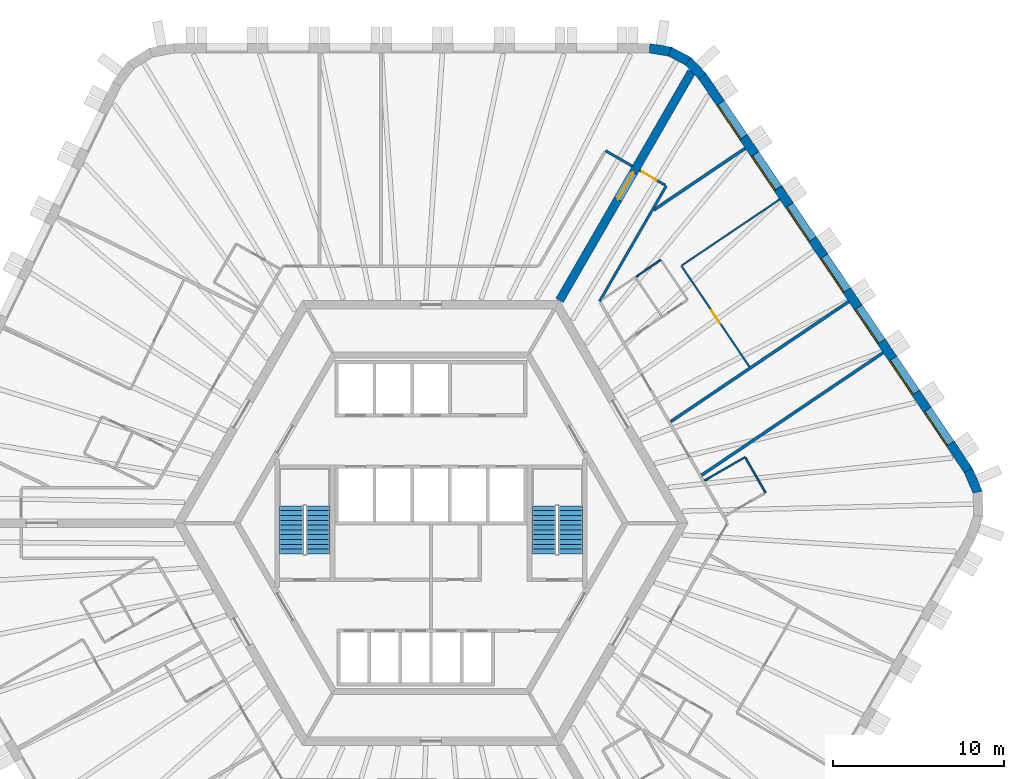
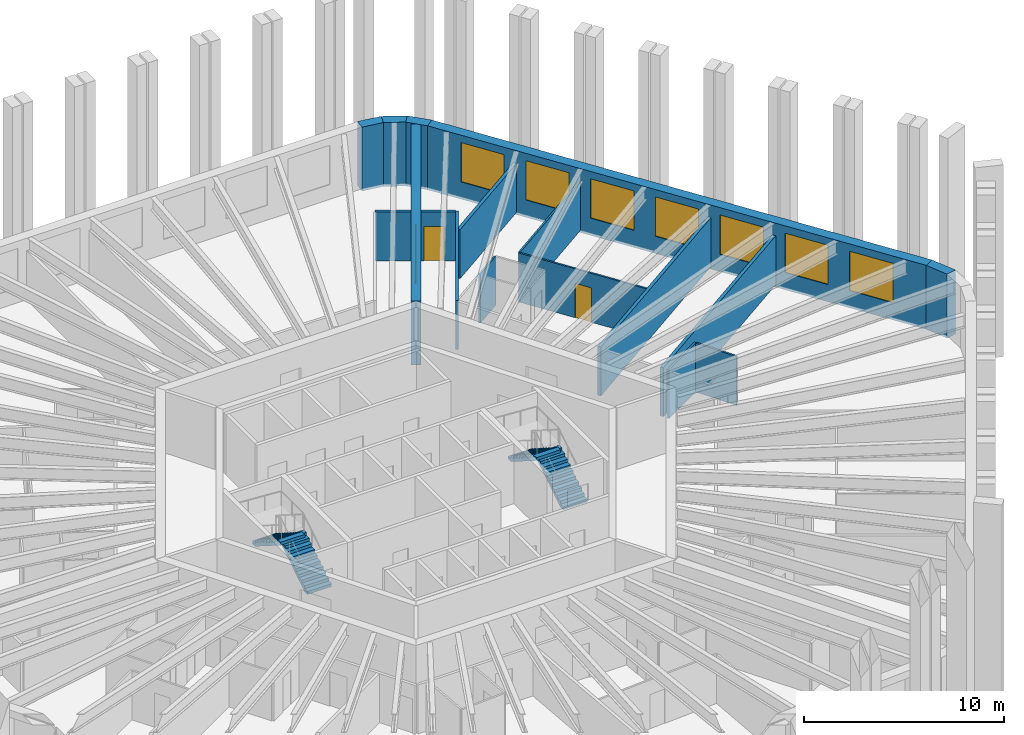
# One storey, part 9 of 10: 17 walls, 7 windows, 4 stair flights, 3 doors, 10 openings, 2 elements without a shape of their own.
"""IFC4 building model written with IfcOpenShell, lengths in metres."""

from ifc_helpers import new_model, si_unit, direction, frame, frame_2d, origin, place, context, subcontext, project, spatial, polyline, rectangle, outline, extrude, material, layer, layer_set, type_object, element, fill, aggregate, save


model = new_model("IFC4")

# Units and contexts
model_context = context("Model", 3, precision=1e-05, world=origin(), true_north=direction((0.0, 1.0)))
body_context = subcontext(model_context, "Body", "Model", "MODEL_VIEW")
ifc_project = project(units=[si_unit("LENGTHUNIT", "METRE"), si_unit("AREAUNIT", "SQUARE_METRE"), si_unit("VOLUMEUNIT", "CUBIC_METRE"), si_unit("PLANEANGLEUNIT", "RADIAN"), si_unit("MASSUNIT", "GRAM", prefix="KILO")], contexts=[model_context])

# Site, building, storey
site_placement = place(None, origin())
site = spatial("IfcSite", under=ifc_project, at=site_placement, CompositionType="ELEMENT")
building_placement = place(site_placement, origin())
building = spatial("IfcBuilding", under=site, at=building_placement, Name="Tarnside Tower", CompositionType="ELEMENT")
storey_placement = place(building_placement, frame((0.0, 0.0, 164.39990234375)))
storey = spatial("IfcBuildingStorey", under=building, at=storey_placement, Name="L38", CompositionType="ELEMENT", Elevation=164.39990234375)

# Walls
ifc_material_1 = material(Name="Gypsum board partition on steel studs", Category="steel")
ifc_layer_1 = layer(ifc_material_1, 0.10009765625)
ifc_layer_set_1 = layer_set([ifc_layer_1], Name="Bathroom wall 100")
wall_type_1 = type_object("IfcWallType", Name="Bathroom wall 100", PredefinedType="PARTITIONING", material=ifc_layer_set_1)
wall_1_placement = place(storey_placement, frame((15.972900390625, 2.484375, 0.0), z_axis=(0.0, 0.0, 1.0), x_axis=(0.866051307416, 0.49995513091, 0.0)))
element("IfcWall", 1, at=wall_1_placement, inside=storey, type_object=wall_type_1, Name="Bathroom wall 12099", PredefinedType="PARTITIONING", context=body_context, shape_type="SweptSolid", body=[
    extrude(rectangle(XDim=2.724853515625, YDim=0.10009765625, at=frame_2d((1.3623046875, 0.0))), origin(), (0.0, 0.0, 1.0), 2.98779296875),
])
wall_2_placement = place(storey_placement, frame((18.357666015625, 3.803466796875, 0.0), z_axis=(0.0, 0.0, 1.0), x_axis=(0.500016218704, -0.866016039709, 0.0)))
element("IfcWall", 2, at=wall_2_placement, inside=storey, type_object=wall_type_1, Name="Bathroom wall 12100", PredefinedType="PARTITIONING", context=body_context, shape_type="SweptSolid", body=[
    extrude(rectangle(XDim=2.35009765625, YDim=0.10009765625, at=frame_2d((1.175048828125, 0.0))), origin(), (0.0, 0.0, 1.0), 2.98779296875),
])

# Wall, opening, door
ifc_material_2 = material(Name="Concrete C70/85", Category="concrete")
ifc_layer_2 = layer(ifc_material_2, 0.5)
ifc_layer_set_2 = layer_set([ifc_layer_2], Name="Core wall Z2 500 C70/85")
wall_type_2 = type_object("IfcWallType", Name="Core wall Z2 500 C70/85", PredefinedType="SHEAR", material=ifc_layer_set_2)
wall_3_placement = place(storey_placement, frame((7.505615234375, 13.0, -0.14990234375), z_axis=(0.0, 0.0, 1.0), x_axis=(0.499988271576, 0.866032175087, 0.0)))
wall_3 = element("IfcWall", 3, at=wall_3_placement, inside=storey, type_object=wall_type_2, Name="L38 spine wall 1", PredefinedType="SHEAR", context=body_context, shape_type="SweptSolid", body=[
    extrude(rectangle(XDim=15.423583984375, YDim=0.5, at=frame_2d((7.7119140625, 0.0))), origin(), (0.0, 0.0, 1.0), 3.89990234375),
])
opening_1_placement = place(wall_3_placement, frame((6.811767578125, 0.0, 0.14990234375)))
opening_1 = element("IfcOpeningElement", 4, at=opening_1_placement, cuts=wall_3, Name="Opening CD-SPN", PredefinedType="OPENING", context=body_context, shape_type="SweptSolid", body=[
    extrude(rectangle(XDim=1.800048828125, YDim=2.39990234375, at=frame_2d((0.89990234375, 1.199951171875))), frame((0.0, 0.260009765625, 0.0), z_axis=(0.0, -1.0, 0.0), x_axis=(1.0, 0.0, 0.0)), (0.0, 0.0, 1.0), 0.52001953125),
])
ifc_material_3 = material(Name="Steel fire door", Category="steel")
door_type_1 = type_object("IfcDoorType", Name="Spine passage double door FD60 1800x2400", OperationType="NOTDEFINED", PredefinedType="DOOR", material=ifc_material_3)
door_1_placement = place(opening_1_placement, origin())
door_1 = element("IfcDoor", 5, at=door_1_placement, inside=storey, type_object=door_type_1, Name="L38 spine passage door 1", OperationType="DOUBLE_DOOR_SINGLE_SWING", OverallHeight=2.39990234375, OverallWidth=1.800048828125, PredefinedType="DOOR", context=body_context, shape_type="SweptSolid", body=[
    extrude(rectangle(XDim=1.800048828125, YDim=2.39990234375, at=frame_2d((0.89990234375, 1.199951171875))), frame((0.0, 0.02490234375, 0.0), z_axis=(0.0, -1.0, 0.0), x_axis=(1.0, 0.0, 0.0)), (0.0, 0.0, 1.0), 0.050048828125),
])
fill(opening_1, door_1)

# Walls
ifc_layer_3 = layer(ifc_material_1, 0.14990234375)
ifc_layer_set_3 = layer_set([ifc_layer_3], Name="Corridor wall 150 EI 60")
wall_type_3 = type_object("IfcWallType", Name="Corridor wall 150 EI 60", PredefinedType="PARTITIONING", material=ifc_layer_set_3)
wall_4_placement = place(storey_placement, frame((11.744873046875, 20.8427734375, 0.0), z_axis=(0.0, 0.0, 1.0), x_axis=(-0.865989075817, 0.500062916607, 0.0)))
element("IfcWall", 6, at=wall_4_placement, inside=storey, type_object=wall_type_3, Name="Corridor wall 12001", PredefinedType="PARTITIONING", context=body_context, shape_type="SweptSolid", body=[
    extrude(rectangle(XDim=1.800048828125, YDim=0.14990234375, at=frame_2d((0.89990234375, 0.0))), origin(), (0.0, 0.0, 1.0), 2.98779296875),
])
wall_5_placement = place(storey_placement, frame((9.84375, 12.949951171875, 0.0), z_axis=(0.0, 0.0, 1.0), x_axis=(0.500003831281, 0.866023191782, 0.0)))
element("IfcWall", 7, at=wall_5_placement, inside=storey, type_object=wall_type_3, Name="Corridor wall 12040", PredefinedType="PARTITIONING", context=body_context, shape_type="SweptSolid", body=[
    extrude(rectangle(XDim=7.7861328125, YDim=0.14990234375, at=frame_2d((3.89306640625, 0.0))), origin(), (0.0, 0.0, 1.0), 2.98779296875),
])

# Wall, opening, door
wall_6_placement = place(storey_placement, frame((13.671875, 19.73046875, 0.0), z_axis=(0.0, 0.0, 1.0), x_axis=(-0.866074815912, 0.499914405916, 0.0)))
wall_6 = element("IfcWall", 8, at=wall_6_placement, inside=storey, type_object=wall_type_3, Name="Corridor wall 12044", PredefinedType="PARTITIONING", context=body_context, shape_type="SweptSolid", body=[
    extrude(rectangle(XDim=1.724853515625, YDim=0.14990234375, at=frame_2d((0.8623046875, 0.0))), origin(), (0.0, 0.0, 1.0), 2.98779296875),
])
opening_2_placement = place(wall_6_placement, frame((0.574951171875, 0.0, 0.0)))
opening_2 = element("IfcOpeningElement", 9, at=opening_2_placement, cuts=wall_6, Name="Opening D-E1", PredefinedType="OPENING", context=body_context, shape_type="SweptSolid", body=[
    extrude(rectangle(XDim=1.0, YDim=2.10009765625, at=frame_2d((0.5, 1.050048828125))), frame((0.0, 0.0849609375, 0.0), z_axis=(0.0, -1.0, 0.0), x_axis=(1.0, 0.0, 0.0)), (0.0, 0.0, 1.0), 0.169921875),
])
ifc_material_4 = material(Name="Timber door leaf", Category="wood")
door_type_2 = type_object("IfcDoorType", Name="Unit entrance door 1000 FD30S", OperationType="NOTDEFINED", PredefinedType="DOOR", material=ifc_material_4)
door_2_placement = place(opening_2_placement, origin())
door_2 = element("IfcDoor", 10, at=door_2_placement, inside=storey, type_object=door_type_2, Name="Unit door 12035", OperationType="SINGLE_SWING_LEFT", OverallHeight=2.10009765625, OverallWidth=1.0, PredefinedType="DOOR", context=body_context, shape_type="SweptSolid", body=[
    extrude(rectangle(XDim=1.0, YDim=2.10009765625, at=frame_2d((0.5, 1.050048828125))), frame((0.0, 0.02490234375, 0.0), z_axis=(0.0, -1.0, 0.0), x_axis=(1.0, 0.0, 0.0)), (0.0, 0.0, 1.0), 0.050048828125),
])
fill(opening_2, door_2)

# Walls
ifc_layer_4 = layer(ifc_material_1, 0.179931640625)
ifc_layer_set_4 = layer_set([ifc_layer_4], Name="Demising wall 180 EI 60")
wall_type_4 = type_object("IfcWallType", Name="Demising wall 180 EI 60", PredefinedType="PARTITIONING", material=ifc_layer_set_4)
wall_7_placement = place(storey_placement, frame((26.40185546875, 9.9462890625, 0.0), z_axis=(0.0, 0.0, 1.0), x_axis=(-0.829037771727, -0.559192608187, 0.0)))
element("IfcWall", 11, at=wall_7_placement, inside=storey, type_object=wall_type_4, Name="Demising wall 12102", PredefinedType="PARTITIONING", context=body_context, shape_type="SweptSolid", body=[
    extrude(rectangle(XDim=12.7939453125, YDim=0.179931640625, at=frame_2d((6.39697265625, 0.0))), origin(), (0.0, 0.0, 1.0), 2.98779296875),
])
wall_8_placement = place(storey_placement, frame((24.388671875, 12.9306640625, 0.0), z_axis=(0.0, 0.0, 1.0), x_axis=(-0.829040439793, -0.559188652593, 0.0)))
element("IfcWall", 12, at=wall_8_placement, inside=storey, type_object=wall_type_4, Name="Demising wall 12103", PredefinedType="PARTITIONING", context=body_context, shape_type="SweptSolid", body=[
    extrude(rectangle(XDim=12.542236328125, YDim=0.179931640625, at=frame_2d((6.27099609375, 0.0))), origin(), (0.0, 0.0, 1.0), 2.98779296875),
])
wall_9_placement = place(storey_placement, frame((18.349609375, 21.88427734375, 0.0), z_axis=(0.0, 0.0, 1.0), x_axis=(-0.829047205772, -0.559178621374, 0.0)))
element("IfcWall", 13, at=wall_9_placement, inside=storey, type_object=wall_type_4, Name="Demising wall 12112", PredefinedType="PARTITIONING", context=body_context, shape_type="SweptSolid", body=[
    extrude(rectangle(XDim=6.442138671875, YDim=0.179931640625, at=frame_2d((3.22119140625, 0.0))), origin(), (0.0, 0.0, 1.0), 2.98779296875),
])
ifc_layer_5 = layer(ifc_material_1, 0.10009765625)
ifc_layer_set_5 = layer_set([ifc_layer_5], Name="Partition 100")
wall_type_5 = type_object("IfcWallType", Name="Partition 100", PredefinedType="PARTITIONING", material=ifc_layer_set_5)
wall_10_placement = place(storey_placement, frame((11.970458984375, 14.38427734375, 0.0), z_axis=(0.0, 0.0, 1.0), x_axis=(0.828968337787, 0.559295534532, 0.0)))
element("IfcWall", 14, at=wall_10_placement, inside=storey, type_object=wall_type_5, Name="Partition wall 12107", PredefinedType="PARTITIONING", context=body_context, shape_type="SweptSolid", body=[
    extrude(rectangle(XDim=1.75, YDim=0.10009765625, at=frame_2d((0.875, 0.0))), origin(), (0.0, 0.0, 1.0), 2.98779296875),
])

# Wall, opening, door
wall_11_placement = place(storey_placement, frame((18.591064453125, 9.128662109375, 0.0), z_axis=(0.0, 0.0, 1.0), x_axis=(-0.559185029686, 0.829042883435, 0.0)))
wall_11 = element("IfcWall", 15, at=wall_11_placement, inside=storey, type_object=wall_type_5, Name="Partition wall 12110", PredefinedType="PARTITIONING", context=body_context, shape_type="SweptSolid", body=[
    extrude(rectangle(XDim=7.110107421875, YDim=0.10009765625, at=frame_2d((3.55517578125, 0.0))), origin(), (0.0, 0.0, 1.0), 2.98779296875),
])
opening_3_placement = place(wall_11_placement, frame((3.06005859375, 0.0, 0.0)))
opening_3 = element("IfcOpeningElement", 16, at=opening_3_placement, cuts=wall_11, Name="Opening D-I1", PredefinedType="OPENING", context=body_context, shape_type="SweptSolid", body=[
    extrude(rectangle(XDim=0.89990234375, YDim=2.10009765625, at=frame_2d((0.449951171875, 1.050048828125))), frame((0.0, 0.06005859375, 0.0), z_axis=(0.0, -1.0, 0.0), x_axis=(1.0, 0.0, 0.0)), (0.0, 0.0, 1.0), 0.1201171875),
])
door_type_3 = type_object("IfcDoorType", Name="Internal door 900", OperationType="NOTDEFINED", PredefinedType="DOOR", material=ifc_material_4)
door_3_placement = place(opening_3_placement, origin())
door_3 = element("IfcDoor", 17, at=door_3_placement, inside=storey, type_object=door_type_3, Name="Internal door 12034", OperationType="SINGLE_SWING_RIGHT", OverallHeight=2.10009765625, OverallWidth=0.89990234375, PredefinedType="DOOR", context=body_context, shape_type="SweptSolid", body=[
    extrude(rectangle(XDim=0.89990234375, YDim=2.10009765625, at=frame_2d((0.449951171875, 1.050048828125))), frame((0.0, 0.02490234375, 0.0), z_axis=(0.0, -1.0, 0.0), x_axis=(1.0, 0.0, 0.0)), (0.0, 0.0, 1.0), 0.050048828125),
])
fill(opening_3, door_3)

# Walls
wall_12_placement = place(storey_placement, frame((14.65673828125, 15.05126953125, 0.0), z_axis=(0.0, 0.0, 1.0), x_axis=(0.829036561965, 0.559194401729, 0.0)))
element("IfcWall", 18, at=wall_12_placement, inside=storey, type_object=wall_type_5, Name="Partition wall 12111", PredefinedType="PARTITIONING", context=body_context, shape_type="SweptSolid", body=[
    extrude(rectangle(XDim=6.882568359375, YDim=0.10009765625, at=frame_2d((3.44140625, 0.0))), origin(), (0.0, 0.0, 1.0), 2.98779296875),
])
ifc_material_5 = material(Name="Facing brick", Category="masonry")
ifc_layer_6 = layer(ifc_material_5, 0.10205078125)
ifc_material_6 = material(Name="Concrete C60/75 precast", Category="concrete")
ifc_layer_7 = layer(ifc_material_6, 0.347900390625)
ifc_material_7 = material(Name="Mineral wool insulation")
ifc_layer_8 = layer(ifc_material_7, 0.10009765625)
ifc_layer_set_6 = layer_set([ifc_layer_6, ifc_layer_7, ifc_layer_8], Name="Tube wall 550 brick faced")
wall_type_6 = type_object("IfcWallType", Name="Tube wall 550 brick faced", PredefinedType="SOLIDWALL", material=ifc_layer_set_6)
wall_13_placement = place(storey_placement, frame((31.91748046875, 1.804443359375, -0.14990234375), z_axis=(0.0, 0.0, 1.0), x_axis=(-0.396225741392, 0.918153125496, 0.0)))
element("IfcWall", 19, at=wall_13_placement, inside=storey, type_object=wall_type_6, Name="Tube wall L38 F5 chord 19", PredefinedType="SOLIDWALL", context=body_context, shape_type="SweptSolid", body=[
    extrude(outline(polyline([(-0.0517578125, -0.27490234375), (1.404541015625, -0.27490234375), (1.353271484375, 0.27490234375), (0.0517578125, 0.27490234375), (-0.0517578125, -0.27490234375)])), origin(), (0.0, 0.0, 1.0), 3.89990234375),
])

# Wall, openings, windows
wall_14_placement = place(storey_placement, frame((31.37109375, 3.070556640625, -0.14990234375), z_axis=(0.0, 0.0, 1.0), x_axis=(-0.559189891278, 0.829039604297, 0.0)))
wall_14 = element("IfcWall", 20, at=wall_14_placement, inside=storey, type_object=wall_type_6, Name="Tube wall L38 F6 flush 20", PredefinedType="SOLIDWALL", context=body_context, shape_type="SweptSolid", body=[
    extrude(outline(polyline([(-0.025634765625, -0.27490234375), (27.780517578125, -0.27490234375), (27.735595703125, 0.27490234375), (0.025634765625, 0.27490234375), (-0.025634765625, -0.27490234375)])), origin(), (0.0, 0.0, 1.0), 3.89990234375),
])
opening_4_placement = place(wall_14_placement, frame((1.87890625, 0.0, 1.050048828125)))
opening_4 = element("IfcOpeningElement", 21, at=opening_4_placement, cuts=wall_14, Name="Opening WH", PredefinedType="OPENING", context=body_context, shape_type="SweptSolid", body=[
    extrude(rectangle(XDim=2.39990234375, YDim=2.39990234375, at=frame_2d((1.199951171875, 1.199951171875))), frame((0.0, 0.28515625, 0.0), z_axis=(0.0, -1.0, 0.0), x_axis=(1.0, 0.0, 0.0)), (0.0, 0.0, 1.0), 0.570068359375),
])
opening_5_placement = place(wall_14_placement, frame((5.47900390625, 0.0, 1.050048828125)))
opening_5 = element("IfcOpeningElement", 22, at=opening_5_placement, cuts=wall_14, Name="Opening WH", PredefinedType="OPENING", context=body_context, shape_type="SweptSolid", body=[
    extrude(rectangle(XDim=2.39990234375, YDim=2.39990234375, at=frame_2d((1.199951171875, 1.199951171875))), frame((0.0, 0.28515625, 0.0), z_axis=(0.0, -1.0, 0.0), x_axis=(1.0, 0.0, 0.0)), (0.0, 0.0, 1.0), 0.570068359375),
])
opening_6_placement = place(wall_14_placement, frame((9.078857421875, 0.0, 1.050048828125)))
opening_6 = element("IfcOpeningElement", 23, at=opening_6_placement, cuts=wall_14, Name="Opening WH", PredefinedType="OPENING", context=body_context, shape_type="SweptSolid", body=[
    extrude(rectangle(XDim=2.39990234375, YDim=2.39990234375, at=frame_2d((1.199951171875, 1.199951171875))), frame((0.0, 0.28515625, 0.0), z_axis=(0.0, -1.0, 0.0), x_axis=(1.0, 0.0, 0.0)), (0.0, 0.0, 1.0), 0.570068359375),
])
opening_7_placement = place(wall_14_placement, frame((12.678955078125, 0.0, 1.050048828125)))
opening_7 = element("IfcOpeningElement", 24, at=opening_7_placement, cuts=wall_14, Name="Opening WH", PredefinedType="OPENING", context=body_context, shape_type="SweptSolid", body=[
    extrude(rectangle(XDim=2.39990234375, YDim=2.39990234375, at=frame_2d((1.199951171875, 1.199951171875))), frame((0.0, 0.28515625, 0.0), z_axis=(0.0, -1.0, 0.0), x_axis=(1.0, 0.0, 0.0)), (0.0, 0.0, 1.0), 0.570068359375),
])
opening_8_placement = place(wall_14_placement, frame((16.27880859375, 0.0, 1.050048828125)))
opening_8 = element("IfcOpeningElement", 25, at=opening_8_placement, cuts=wall_14, Name="Opening WH", PredefinedType="OPENING", context=body_context, shape_type="SweptSolid", body=[
    extrude(rectangle(XDim=2.39990234375, YDim=2.39990234375, at=frame_2d((1.199951171875, 1.199951171875))), frame((0.0, 0.28515625, 0.0), z_axis=(0.0, -1.0, 0.0), x_axis=(1.0, 0.0, 0.0)), (0.0, 0.0, 1.0), 0.570068359375),
])
opening_9_placement = place(wall_14_placement, frame((19.87890625, 0.0, 1.050048828125)))
opening_9 = element("IfcOpeningElement", 26, at=opening_9_placement, cuts=wall_14, Name="Opening WH", PredefinedType="OPENING", context=body_context, shape_type="SweptSolid", body=[
    extrude(rectangle(XDim=2.39990234375, YDim=2.39990234375, at=frame_2d((1.199951171875, 1.199951171875))), frame((0.0, 0.28515625, 0.0), z_axis=(0.0, -1.0, 0.0), x_axis=(1.0, 0.0, 0.0)), (0.0, 0.0, 1.0), 0.570068359375),
])
opening_10_placement = place(wall_14_placement, frame((23.47900390625, 0.0, 1.050048828125)))
opening_10 = element("IfcOpeningElement", 27, at=opening_10_placement, cuts=wall_14, Name="Opening WH", PredefinedType="OPENING", context=body_context, shape_type="SweptSolid", body=[
    extrude(rectangle(XDim=2.39990234375, YDim=2.39990234375, at=frame_2d((1.199951171875, 1.199951171875))), frame((0.0, 0.28515625, 0.0), z_axis=(0.0, -1.0, 0.0), x_axis=(1.0, 0.0, 0.0)), (0.0, 0.0, 1.0), 0.570068359375),
])
ifc_material_8 = material(Name="Aluminium-framed double glazing", Category="aluminium")
window_type = type_object("IfcWindowType", Name="Hotel window 2400 x 2400", PartitioningType="DOUBLE_PANEL_VERTICAL", PredefinedType="WINDOW", material=ifc_material_8)
window_1_placement = place(opening_4_placement, frame((0.0, 0.205078125, 0.0)))
window_1 = element("IfcWindow", 28, at=window_1_placement, inside=storey, type_object=window_type, Name="E.WN.L38.F6.00", OverallHeight=2.39990234375, OverallWidth=2.39990234375, PartitioningType="DOUBLE_PANEL_VERTICAL", PredefinedType="WINDOW", context=body_context, shape_type="SweptSolid", body=[
    extrude(rectangle(XDim=2.39990234375, YDim=2.39990234375, at=frame_2d((1.199951171875, 1.199951171875))), frame((0.0, 0.030029296875, 0.0), z_axis=(0.0, -1.0, 0.0), x_axis=(1.0, 0.0, 0.0)), (0.0, 0.0, 1.0), 0.06005859375),
])
fill(opening_4, window_1)
window_2_placement = place(opening_5_placement, frame((0.0, 0.205078125, 0.0)))
window_2 = element("IfcWindow", 29, at=window_2_placement, inside=storey, type_object=window_type, Name="E.WN.L38.F6.01", OverallHeight=2.39990234375, OverallWidth=2.39990234375, PartitioningType="DOUBLE_PANEL_VERTICAL", PredefinedType="WINDOW", context=body_context, shape_type="SweptSolid", body=[
    extrude(rectangle(XDim=2.39990234375, YDim=2.39990234375, at=frame_2d((1.199951171875, 1.199951171875))), frame((0.0, 0.030029296875, 0.0), z_axis=(0.0, -1.0, 0.0), x_axis=(1.0, 0.0, 0.0)), (0.0, 0.0, 1.0), 0.06005859375),
])
fill(opening_5, window_2)
window_3_placement = place(opening_6_placement, frame((0.0, 0.205078125, 0.0)))
window_3 = element("IfcWindow", 30, at=window_3_placement, inside=storey, type_object=window_type, Name="E.WN.L38.F6.02", OverallHeight=2.39990234375, OverallWidth=2.39990234375, PartitioningType="DOUBLE_PANEL_VERTICAL", PredefinedType="WINDOW", context=body_context, shape_type="SweptSolid", body=[
    extrude(rectangle(XDim=2.39990234375, YDim=2.39990234375, at=frame_2d((1.199951171875, 1.199951171875))), frame((0.0, 0.030029296875, 0.0), z_axis=(0.0, -1.0, 0.0), x_axis=(1.0, 0.0, 0.0)), (0.0, 0.0, 1.0), 0.06005859375),
])
fill(opening_6, window_3)
window_4_placement = place(opening_7_placement, frame((0.0, 0.205078125, 0.0)))
window_4 = element("IfcWindow", 31, at=window_4_placement, inside=storey, type_object=window_type, Name="E.WN.L38.F6.03", OverallHeight=2.39990234375, OverallWidth=2.39990234375, PartitioningType="DOUBLE_PANEL_VERTICAL", PredefinedType="WINDOW", context=body_context, shape_type="SweptSolid", body=[
    extrude(rectangle(XDim=2.39990234375, YDim=2.39990234375, at=frame_2d((1.199951171875, 1.199951171875))), frame((0.0, 0.030029296875, 0.0), z_axis=(0.0, -1.0, 0.0), x_axis=(1.0, 0.0, 0.0)), (0.0, 0.0, 1.0), 0.06005859375),
])
fill(opening_7, window_4)
window_5_placement = place(opening_8_placement, frame((0.0, 0.205078125, 0.0)))
window_5 = element("IfcWindow", 32, at=window_5_placement, inside=storey, type_object=window_type, Name="E.WN.L38.F6.04", OverallHeight=2.39990234375, OverallWidth=2.39990234375, PartitioningType="DOUBLE_PANEL_VERTICAL", PredefinedType="WINDOW", context=body_context, shape_type="SweptSolid", body=[
    extrude(rectangle(XDim=2.39990234375, YDim=2.39990234375, at=frame_2d((1.199951171875, 1.199951171875))), frame((0.0, 0.030029296875, 0.0), z_axis=(0.0, -1.0, 0.0), x_axis=(1.0, 0.0, 0.0)), (0.0, 0.0, 1.0), 0.06005859375),
])
fill(opening_8, window_5)
window_6_placement = place(opening_9_placement, frame((0.0, 0.205078125, 0.0)))
window_6 = element("IfcWindow", 33, at=window_6_placement, inside=storey, type_object=window_type, Name="E.WN.L38.F6.05", OverallHeight=2.39990234375, OverallWidth=2.39990234375, PartitioningType="DOUBLE_PANEL_VERTICAL", PredefinedType="WINDOW", context=body_context, shape_type="SweptSolid", body=[
    extrude(rectangle(XDim=2.39990234375, YDim=2.39990234375, at=frame_2d((1.199951171875, 1.199951171875))), frame((0.0, 0.030029296875, 0.0), z_axis=(0.0, -1.0, 0.0), x_axis=(1.0, 0.0, 0.0)), (0.0, 0.0, 1.0), 0.06005859375),
])
fill(opening_9, window_6)
window_7_placement = place(opening_10_placement, frame((0.0, 0.205078125, 0.0)))
window_7 = element("IfcWindow", 34, at=window_7_placement, inside=storey, type_object=window_type, Name="E.WN.L38.F6.06", OverallHeight=2.39990234375, OverallWidth=2.39990234375, PartitioningType="DOUBLE_PANEL_VERTICAL", PredefinedType="WINDOW", context=body_context, shape_type="SweptSolid", body=[
    extrude(rectangle(XDim=2.39990234375, YDim=2.39990234375, at=frame_2d((1.199951171875, 1.199951171875))), frame((0.0, 0.030029296875, 0.0), z_axis=(0.0, -1.0, 0.0), x_axis=(1.0, 0.0, 0.0)), (0.0, 0.0, 1.0), 0.06005859375),
])
fill(opening_10, window_7)

# Walls
wall_15_placement = place(storey_placement, frame((15.84912109375, 26.0830078125, -0.14990234375), z_axis=(0.0, 0.0, 1.0), x_axis=(-0.686196220404, 0.727416488061, 0.0)))
element("IfcWall", 35, at=wall_15_placement, inside=storey, type_object=wall_type_6, Name="Tube wall L38 F6 chord 21", PredefinedType="SOLIDWALL", context=body_context, shape_type="SweptSolid", body=[
    extrude(outline(polyline([(-0.0224609375, -0.27490234375), (1.25341796875, -0.27490234375), (1.1630859375, 0.27490234375), (0.0224609375, 0.27490234375), (-0.0224609375, -0.27490234375)])), origin(), (0.0, 0.0, 1.0), 3.89990234375),
])
wall_16_placement = place(storey_placement, frame((15.02001953125, 26.9619140625, -0.14990234375), z_axis=(0.0, 0.0, 1.0), x_axis=(-0.882950818639, 0.469465495926, 0.0)))
element("IfcWall", 36, at=wall_16_placement, inside=storey, type_object=wall_type_6, Name="Tube wall L38 F6 chord 22", PredefinedType="SOLIDWALL", context=body_context, shape_type="SweptSolid", body=[
    extrude(outline(polyline([(-0.045166015625, -0.27490234375), (1.253173828125, -0.27490234375), (1.162841796875, 0.27490234375), (0.045166015625, 0.27490234375), (-0.045166015625, -0.27490234375)])), origin(), (0.0, 0.0, 1.0), 3.89990234375),
])
wall_17_placement = place(storey_placement, frame((13.953369140625, 27.529052734375, -0.14990234375), z_axis=(0.0, 0.0, 1.0), x_axis=(-0.986751945211, 0.162236243244, 0.0)))
element("IfcWall", 37, at=wall_17_placement, inside=storey, type_object=wall_type_6, Name="Tube wall L38 F6 chord 23", PredefinedType="SOLIDWALL", context=body_context, shape_type="SweptSolid", body=[
    extrude(outline(polyline([(-0.045166015625, -0.27490234375), (1.23095703125, -0.27490234375), (1.18603515625, 0.27490234375), (0.045166015625, 0.27490234375), (-0.045166015625, -0.27490234375)])), origin(), (0.0, 0.0, 1.0), 3.89990234375),
])

# Stair, stair flights
ifc_material_9 = material(Name="Concrete C40/50", Category="concrete")
stair_type = type_object("IfcStairType", Name="Exit stair 1400 clear", PredefinedType="HALF_TURN_STAIR", material=ifc_material_9)
stair_1_placement = place(storey_placement, origin())
stair_1 = element("IfcStair", 38, at=stair_1_placement, inside=storey, type_object=stair_type, Name="L38 Exit stair 1", PredefinedType="HALF_TURN_STAIR")
stair_flight_type = type_object("IfcStairFlightType", Name="Exit stair flight 1400", PredefinedType="STRAIGHT", material=ifc_material_9)
stair_flight_1_placement = place(storey_placement, frame((8.14990234375, -1.800048828125, 0.0), z_axis=(0.0, 0.0, 1.0), x_axis=(0.0, 1.0, 0.0)))
stair_flight_1 = element("IfcStairFlight", 39, at=stair_flight_1_placement, type_object=stair_flight_type, Name="ST1 flight 1", NumberOfRisers=11, NumberOfTreads=10, PredefinedType="STRAIGHT", RiserHeight=0.177272727, TreadLength=0.28, context=body_context, shape_type="SweptSolid", body=[
    extrude(outline(polyline([(0.0, 0.0), (0.0, 0.17724609375), (0.280029296875, 0.17724609375), (0.280029296875, 0.3544921875), (0.56005859375, 0.3544921875), (0.56005859375, 0.53173828125), (0.840087890625, 0.53173828125), (0.840087890625, 0.708984375), (1.1201171875, 0.708984375), (1.1201171875, 0.886474609375), (1.39990234375, 0.886474609375), (1.39990234375, 1.063720703125), (1.679931640625, 1.063720703125), (1.679931640625, 1.240966796875), (1.9599609375, 1.240966796875), (1.9599609375, 1.418212890625), (2.239990234375, 1.418212890625), (2.239990234375, 1.595458984375), (2.52001953125, 1.595458984375), (2.52001953125, 1.772705078125), (2.800048828125, 1.772705078125), (2.800048828125, 1.949951171875), (2.800048828125, 1.59521484375), (0.2802734375, 0.0), (0.0, 0.0)])), frame((0.0, 0.699951171875, 0.0), z_axis=(0.0, -1.0, 0.0), x_axis=(1.0, 0.0, 0.0)), (0.0, 0.0, 1.0), 1.39990234375),
])
stair_flight_2_placement = place(storey_placement, frame((6.60009765625, 1.0, 1.9501953125), z_axis=(0.0, 0.0, 1.0), x_axis=(0.0, -1.0, 0.0)))
stair_flight_2 = element("IfcStairFlight", 40, at=stair_flight_2_placement, type_object=stair_flight_type, Name="ST1 flight 2", NumberOfRisers=11, NumberOfTreads=10, PredefinedType="STRAIGHT", RiserHeight=0.177272727, TreadLength=0.28, context=body_context, shape_type="SweptSolid", body=[
    extrude(outline(polyline([(0.0, 0.0), (0.0, 0.17724609375), (0.280029296875, 0.17724609375), (0.280029296875, 0.3544921875), (0.56005859375, 0.3544921875), (0.56005859375, 0.53173828125), (0.840087890625, 0.53173828125), (0.840087890625, 0.708984375), (1.1201171875, 0.708984375), (1.1201171875, 0.886474609375), (1.39990234375, 0.886474609375), (1.39990234375, 1.063720703125), (1.679931640625, 1.063720703125), (1.679931640625, 1.240966796875), (1.9599609375, 1.240966796875), (1.9599609375, 1.418212890625), (2.239990234375, 1.418212890625), (2.239990234375, 1.595458984375), (2.52001953125, 1.595458984375), (2.52001953125, 1.772705078125), (2.800048828125, 1.772705078125), (2.800048828125, 1.949951171875), (2.800048828125, 1.59521484375), (0.2802734375, 0.0), (0.0, 0.0)])), frame((0.0, 0.699951171875, 0.0), z_axis=(0.0, -1.0, 0.0), x_axis=(1.0, 0.0, 0.0)), (0.0, 0.0, 1.0), 1.39990234375),
])
aggregate(stair_1, [stair_flight_1, stair_flight_2])

stair_2_placement = place(storey_placement, origin())
stair_2 = element("IfcStair", 41, at=stair_2_placement, inside=storey, type_object=stair_type, Name="L38 Exit stair 2", PredefinedType="HALF_TURN_STAIR")
stair_flight_3_placement = place(storey_placement, frame((-6.60009765625, -1.800048828125, 0.0), z_axis=(0.0, 0.0, 1.0), x_axis=(0.0, 1.0, 0.0)))
stair_flight_3 = element("IfcStairFlight", 42, at=stair_flight_3_placement, type_object=stair_flight_type, Name="ST2 flight 1", NumberOfRisers=11, NumberOfTreads=10, PredefinedType="STRAIGHT", RiserHeight=0.177272727, TreadLength=0.28, context=body_context, shape_type="SweptSolid", body=[
    extrude(outline(polyline([(0.0, 0.0), (0.0, 0.17724609375), (0.280029296875, 0.17724609375), (0.280029296875, 0.3544921875), (0.56005859375, 0.3544921875), (0.56005859375, 0.53173828125), (0.840087890625, 0.53173828125), (0.840087890625, 0.708984375), (1.1201171875, 0.708984375), (1.1201171875, 0.886474609375), (1.39990234375, 0.886474609375), (1.39990234375, 1.063720703125), (1.679931640625, 1.063720703125), (1.679931640625, 1.240966796875), (1.9599609375, 1.240966796875), (1.9599609375, 1.418212890625), (2.239990234375, 1.418212890625), (2.239990234375, 1.595458984375), (2.52001953125, 1.595458984375), (2.52001953125, 1.772705078125), (2.800048828125, 1.772705078125), (2.800048828125, 1.949951171875), (2.800048828125, 1.59521484375), (0.2802734375, 0.0), (0.0, 0.0)])), frame((0.0, 0.699951171875, 0.0), z_axis=(0.0, -1.0, 0.0), x_axis=(1.0, 0.0, 0.0)), (0.0, 0.0, 1.0), 1.39990234375),
])
stair_flight_4_placement = place(storey_placement, frame((-8.14990234375, 1.0, 1.9501953125), z_axis=(0.0, 0.0, 1.0), x_axis=(0.0, -1.0, 0.0)))
stair_flight_4 = element("IfcStairFlight", 43, at=stair_flight_4_placement, type_object=stair_flight_type, Name="ST2 flight 2", NumberOfRisers=11, NumberOfTreads=10, PredefinedType="STRAIGHT", RiserHeight=0.177272727, TreadLength=0.28, context=body_context, shape_type="SweptSolid", body=[
    extrude(outline(polyline([(0.0, 0.0), (0.0, 0.17724609375), (0.280029296875, 0.17724609375), (0.280029296875, 0.3544921875), (0.56005859375, 0.3544921875), (0.56005859375, 0.53173828125), (0.840087890625, 0.53173828125), (0.840087890625, 0.708984375), (1.1201171875, 0.708984375), (1.1201171875, 0.886474609375), (1.39990234375, 0.886474609375), (1.39990234375, 1.063720703125), (1.679931640625, 1.063720703125), (1.679931640625, 1.240966796875), (1.9599609375, 1.240966796875), (1.9599609375, 1.418212890625), (2.239990234375, 1.418212890625), (2.239990234375, 1.595458984375), (2.52001953125, 1.595458984375), (2.52001953125, 1.772705078125), (2.800048828125, 1.772705078125), (2.800048828125, 1.949951171875), (2.800048828125, 1.59521484375), (0.2802734375, 0.0), (0.0, 0.0)])), frame((0.0, 0.699951171875, 0.0), z_axis=(0.0, -1.0, 0.0), x_axis=(1.0, 0.0, 0.0)), (0.0, 0.0, 1.0), 1.39990234375),
])
aggregate(stair_2, [stair_flight_3, stair_flight_4])

save(model, "model.ifc")
